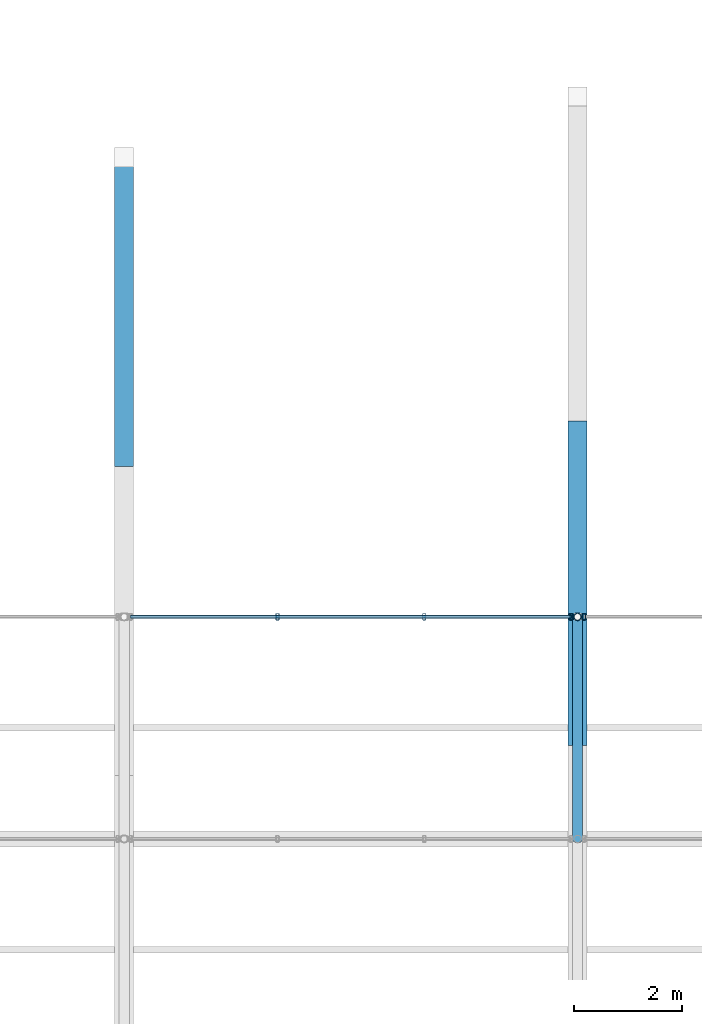
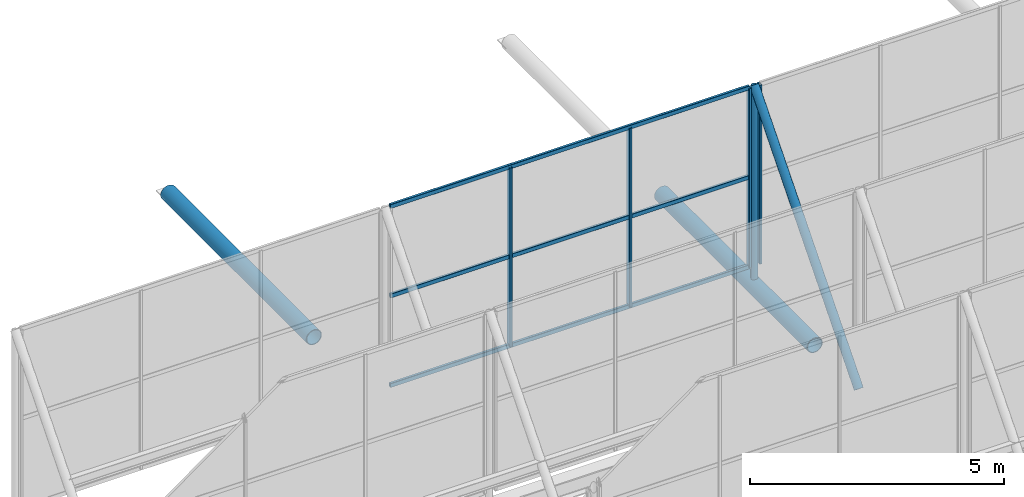
# One storey, part 37 of 77: 11 members, 2 elements without a shape of their own.
"""IFC4 building model written with IfcOpenShell, lengths in metres."""

import ifcopenshell
import ifcopenshell.guid

model = None  # the IFC model being written
_history = None  # IfcOwnerHistory: only IFC2X3 demands one
_inside = {}  # id of a spatial element -> (the spatial element, [elements in it])
_under = {}  # id of a project, library or spatial element -> (it, [spatial elements below it])
_declared = {}  # id of a project -> (the project, [libraries it declares])
_typed = {}  # id of a type object -> (the type object, [elements of that type])
_made_of = {}  # id of a material, layer set ... -> (it, [elements and type objects made of it])


def new_model(schema):
    """Start an empty IFC model of exactly this schema.

    Asked for "IFC4X3", IfcOpenShell would pick the latest addendum, in which some entities
    have other attributes; the version numbers below select the first issue.
    IFC2X3 requires an IfcOwnerHistory on every rooted entity: one is made here for all.
    """
    global model, _history
    if schema == "IFC4X3":
        model = ifcopenshell.file(schema_version=(4, 3, 0, 0))
    else:
        model = ifcopenshell.file(schema=schema)
    _inside.clear()
    _under.clear()
    _declared.clear()
    _typed.clear()
    _made_of.clear()
    _history = None
    if model.schema == "IFC2X3":
        org = make("IfcOrganization", Name="unknown")
        user = make(
            "IfcPersonAndOrganization",
            ThePerson=make("IfcPerson", FamilyName="unknown"),
            TheOrganization=org,
        )
        app = make(
            "IfcApplication",
            ApplicationDeveloper=org,
            Version="unknown",
            ApplicationFullName="unknown",
            ApplicationIdentifier="unknown",
        )
        _history = make(
            "IfcOwnerHistory",
            OwningUser=user,
            OwningApplication=app,
            ChangeAction="ADDED",
            CreationDate=0,
        )
    return model


def make(cls, **values):
    """One entity of the class cls with the attributes given. An attribute that is None is left unset."""
    return model.create_entity(
        cls, **{name: value for name, value in values.items() if value is not None}
    )


def rooted(cls, **values):
    """An entity with a GlobalId (a new one), such as an element, a storey or a relation."""
    return make(cls, GlobalId=ifcopenshell.guid.new(), OwnerHistory=_history, **values)


def si_unit(unit_type, name, prefix=None):
    """IfcSIUnit, for example si_unit("LENGTHUNIT", "METRE", prefix="MILLI")."""
    return make("IfcSIUnit", UnitType=unit_type, Prefix=prefix, Name=name)


def derived_unit(unit_type, elements):
    """IfcDerivedUnit: a product of units, each with its exponent."""
    return make(
        "IfcDerivedUnit",
        Elements=[
            make("IfcDerivedUnitElement", Unit=unit, Exponent=power)
            for unit, power in elements
        ],
        UnitType=unit_type,
    )


def assignment(units):
    """IfcUnitAssignment: the units of a project."""
    return None if units is None else make("IfcUnitAssignment", Units=units)


def point(xyz):
    """IfcCartesianPoint."""
    return None if xyz is None else make("IfcCartesianPoint", Coordinates=xyz)


def direction(xyz):
    """IfcDirection."""
    return None if xyz is None else make("IfcDirection", DirectionRatios=xyz)


def frame(location, z_axis=None, x_axis=None):
    """IfcAxis2Placement3D, a coordinate frame: its origin and axes. An axis left out is left unset."""
    return make(
        "IfcAxis2Placement3D",
        Location=point(location),
        Axis=direction(z_axis),
        RefDirection=direction(x_axis),
    )


def frame_2d(location, x_axis=None):
    """IfcAxis2Placement2D, a coordinate frame in the plane: its origin and x axis."""
    return make(
        "IfcAxis2Placement2D", Location=point(location), RefDirection=direction(x_axis)
    )


def origin():
    """The frame at (0, 0, 0) with its axes left unset."""
    return frame((0.0, 0.0, 0.0))


def origin_2d():
    """The frame at (0, 0) in the plane with its x axis left unset."""
    return frame_2d((0.0, 0.0))


def place(relative_to, where):
    """IfcLocalPlacement: puts the frame where relative to a parent placement (None: the world)."""
    return make(
        "IfcLocalPlacement", PlacementRelTo=relative_to, RelativePlacement=where
    )


def context(
    kind, dimensions, precision=None, world=None, true_north=None, identifier=None
):
    """IfcGeometricRepresentationContext, for example the 3D "Model" context."""
    return make(
        "IfcGeometricRepresentationContext",
        ContextIdentifier=identifier,
        ContextType=kind,
        CoordinateSpaceDimension=dimensions,
        Precision=precision,
        WorldCoordinateSystem=world,
        TrueNorth=true_north,
    )


def subcontext(parent, identifier, kind, view, scale=None):
    """IfcGeometricRepresentationSubContext, for example "Body" below "Model"."""
    return make(
        "IfcGeometricRepresentationSubContext",
        ContextIdentifier=identifier,
        ContextType=kind,
        ParentContext=parent,
        TargetScale=scale,
        TargetView=view,
    )


def project(units=None, contexts=None):
    """IfcProject with its units and contexts."""
    return rooted(
        "IfcProject",
        Name="project",
        RepresentationContexts=contexts,
        UnitsInContext=assignment(units),
    )


def spatial(cls, under=None, at=None, **own):
    """A site, building, storey or space (cls), placed at a placement, below another one or the project."""
    s = rooted(cls, ObjectPlacement=at, **own)
    if under is not None:
        _under.setdefault(under.id(), (under, []))[1].append(s)
    return s


def profile(cls, at=None, kind="AREA", **sizes):
    """A parametric profile (cls). Its sizes go by their IFC names, for example OverallWidth=200.0."""
    return make(cls, ProfileType=kind, Position=at, **sizes)


def hollow_rectangle(**sizes):
    """IfcRectangleHollowProfileDef."""
    return profile("IfcRectangleHollowProfileDef", **sizes)


def hollow_circle(**sizes):
    """IfcCircleHollowProfileDef."""
    return profile("IfcCircleHollowProfileDef", **sizes)


def extrude(swept, where, along, depth):
    """IfcExtrudedAreaSolid: the profile swept, set in the frame where, extruded along a direction by depth."""
    return make(
        "IfcExtrudedAreaSolid",
        SweptArea=swept,
        Position=where,
        ExtrudedDirection=direction(along),
        Depth=depth,
    )


def shape(context_of_items, identifier, shape_type, items):
    """IfcShapeRepresentation: the items that make up one representation, for example the "Body"."""
    return make(
        "IfcShapeRepresentation",
        ContextOfItems=context_of_items,
        RepresentationIdentifier=identifier,
        RepresentationType=shape_type,
        Items=items,
    )


def material(Name=None, Category=None):
    """IfcMaterial."""
    return make("IfcMaterial", Name=Name, Category=Category)


def material_profile(
    of_material, cross_section, Name=None, Category=None, Priority=None
):
    """IfcMaterialProfile: a cross section and its material."""
    return make(
        "IfcMaterialProfile",
        Name=Name,
        Material=of_material,
        Profile=cross_section,
        Priority=Priority,
        Category=Category,
    )


def profile_set(profiles, Name=None, composite=None):
    """IfcMaterialProfileSet."""
    return make(
        "IfcMaterialProfileSet",
        Name=Name,
        MaterialProfiles=profiles,
        CompositeProfile=composite,
    )


def made_of(thing, what):
    """Note that an element or type object is made of a material, layer set ...; save() writes the relation."""
    if what is not None:
        _made_of.setdefault(what.id(), (what, []))[1].append(thing)
    return thing


def type_object(cls, material=None, **own):
    """A type object (cls), such as IfcWallType, which elements share."""
    return made_of(rooted(cls, **own), material)


def element(
    cls,
    number,
    at=None,
    inside=None,
    cuts=None,
    type_object=None,
    material=None,
    context=None,
    identifier="Body",
    shape_type=None,
    held_by="IfcProductDefinitionShape",
    body=None,
    shapes=None,
    **own,
):
    """One element of the class cls, such as IfcWall. Its Tag is "e" and its number.

    at: its placement. inside: the storey or other place that contains it. cuts: it is an
    opening in that element (IfcRelVoidsElement). A single representation is given by context,
    identifier, shape_type and body (its items); several are given by shapes. held_by: the class
    of the entity that holds the representations. save() writes the other relations.
    """
    e = rooted(cls, Tag="e%d" % number, ObjectPlacement=at, **own)
    if body is not None:
        shapes = [shape(context, identifier, shape_type, body)]
    if shapes is not None:
        e.Representation = make(held_by, Representations=shapes)
    if inside is not None:
        _inside.setdefault(inside.id(), (inside, []))[1].append(e)
    if cuts is not None:
        rooted(
            "IfcRelVoidsElement", RelatingBuildingElement=cuts, RelatedOpeningElement=e
        )
    if type_object is not None:
        _typed.setdefault(type_object.id(), (type_object, []))[1].append(e)
    return made_of(e, material)


def aggregate(whole, parts):
    """IfcRelAggregates: a whole, such as a stair, and the parts it consists of."""
    return rooted("IfcRelAggregates", RelatingObject=whole, RelatedObjects=parts)


def save(model, path):
    """Write the relations noted so far, then the file.

    IfcRelAggregates (storeys below a building ...), IfcRelContainedInSpatialStructure (elements
    in a storey), IfcRelDefinesByType, IfcRelAssociatesMaterial and IfcRelDeclares: one each for
    every whole, place, type object, material and project.
    """
    for whole, parts in _under.values():
        aggregate(whole, parts)
    for where, things in _inside.values():
        rooted(
            "IfcRelContainedInSpatialStructure",
            RelatedElements=things,
            RelatingStructure=where,
        )
    for kind, things in _typed.values():
        rooted("IfcRelDefinesByType", RelatedObjects=things, RelatingType=kind)
    for what, things in _made_of.values():
        rooted("IfcRelAssociatesMaterial", RelatedObjects=things, RelatingMaterial=what)
    for by, libraries in _declared.values():
        rooted("IfcRelDeclares", RelatingContext=by, RelatedDefinitions=libraries)
    model.write(path)


model = new_model("IFC4")

# Units and contexts
model_context = context("Model", 3, precision=1e-05, world=origin(), true_north=direction((0.0, 1.0)))
body_context = subcontext(model_context, "Body", "Model", "MODEL_VIEW")
ifc_project = project(units=[si_unit("LENGTHUNIT", "METRE"), si_unit("AREAUNIT", "SQUARE_METRE"), si_unit("VOLUMEUNIT", "CUBIC_METRE"), si_unit("PLANEANGLEUNIT", "RADIAN"), si_unit("MASSUNIT", "GRAM", prefix="KILO"), derived_unit("THERMALTRANSMITTANCEUNIT", [(si_unit("MASSUNIT", "GRAM", prefix="KILO"), 1), (si_unit("TIMEUNIT", "SECOND"), -3), (si_unit("THERMODYNAMICTEMPERATUREUNIT", "KELVIN"), -1)])], contexts=[model_context])

# Site, building, storey
site_placement = place(None, origin())
site = spatial("IfcSite", under=ifc_project, at=site_placement, CompositionType="ELEMENT")
building_placement = place(site_placement, origin())
building = spatial("IfcBuilding", under=site, at=building_placement, Name="Kharveza Railside Sports Centre", CompositionType="ELEMENT")
storey_placement = place(building_placement, frame((0.0, 0.0, 17.10009765625)))
storey = spatial("IfcBuildingStorey", under=building, at=storey_placement, Name="L04", CompositionType="ELEMENT", Elevation=17.10009765625)

# Curtain wall, members
ifc_material_1 = material(Name="Low-E solar-control laminated glass", Category="glass")
curtain_wall_type = type_object("IfcCurtainWallType", Name="CW-NL01", PredefinedType="NOTDEFINED", material=ifc_material_1)
curtain_wall_1_placement = place(storey_placement, origin())
curtain_wall_1 = element("IfcCurtainWall", 1, at=curtain_wall_1_placement, inside=storey, type_object=curtain_wall_type, Name="CW-V1NL-7-2", PredefinedType="NOTDEFINED")
ifc_material_2 = material(Name="Anodised aluminium 6063-T6", Category="aluminium")
ifc_material_profile_1 = material_profile(ifc_material_2, hollow_rectangle(XDim=0.06005859375, YDim=0.1201171875, WallThickness=0.0048828125, InnerFilletRadius=0.0048828125, OuterFilletRadius=0.010009765625, at=origin_2d()), Name="RHS 60x120x5.0")
ifc_profile_set_1 = profile_set([ifc_material_profile_1], Name="Anodised aluminium 6063-T6")
member_type_1 = type_object("IfcMemberType", Name="CW-ML05", PredefinedType="MULLION", material=ifc_profile_set_1)
member_1_placement = place(storey_placement, frame((44.840087890625, 64.800048828125, -0.550048828125), z_axis=(0.0, 0.0, 1.0), x_axis=(1.0, 0.0, 0.0)))
member_1 = element("IfcMember", 2, at=member_1_placement, type_object=member_type_1, Name="CW-V1NL-7-2-ML2", PredefinedType="MULLION", context=body_context, shape_type="SweptSolid", body=[
    extrude(hollow_rectangle(XDim=0.06005859375, YDim=0.1201171875, WallThickness=0.0048828125, InnerFilletRadius=0.0048828125, OuterFilletRadius=0.010009765625, at=origin_2d()), origin(), (0.0, 0.0, 1.0), 4.300048828125),
])
member_2_placement = place(storey_placement, frame((47.56005859375, 64.800048828125, -0.550048828125), z_axis=(0.0, 0.0, 1.0), x_axis=(1.0, 0.0, 0.0)))
member_2 = element("IfcMember", 3, at=member_2_placement, type_object=member_type_1, Name="CW-V1NL-7-2-ML3", PredefinedType="MULLION", context=body_context, shape_type="SweptSolid", body=[
    extrude(hollow_rectangle(XDim=0.06005859375, YDim=0.1201171875, WallThickness=0.0048828125, InnerFilletRadius=0.0048828125, OuterFilletRadius=0.010009765625, at=origin_2d()), origin(), (0.0, 0.0, 1.0), 4.300048828125),
])
member_3_placement = place(storey_placement, frame((50.280029296875, 64.800048828125, -0.550048828125), z_axis=(0.0, 0.0, 1.0), x_axis=(1.0, 0.0, 0.0)))
member_3 = element("IfcMember", 4, at=member_3_placement, type_object=member_type_1, Name="CW-V1NL-7-2-ML4", PredefinedType="MULLION", context=body_context, shape_type="SweptSolid", body=[
    extrude(hollow_rectangle(XDim=0.06005859375, YDim=0.1201171875, WallThickness=0.0048828125, InnerFilletRadius=0.0048828125, OuterFilletRadius=0.010009765625, at=origin_2d()), origin(), (0.0, 0.0, 1.0), 4.300048828125),
])

# Curtain wall, member
curtain_wall_2_placement = place(storey_placement, origin())
curtain_wall_2 = element("IfcCurtainWall", 5, at=curtain_wall_2_placement, inside=storey, type_object=curtain_wall_type, Name="CW-V1NL-7-3", PredefinedType="NOTDEFINED")
member_4_placement = place(storey_placement, frame((50.52001953125, 64.800048828125, -0.550048828125), z_axis=(0.0, 0.0, 1.0), x_axis=(1.0, 0.0, 0.0)))
member_4 = element("IfcMember", 6, at=member_4_placement, type_object=member_type_1, Name="CW-V1NL-7-3-ML1", PredefinedType="MULLION", context=body_context, shape_type="SweptSolid", body=[
    extrude(hollow_rectangle(XDim=0.06005859375, YDim=0.1201171875, WallThickness=0.0048828125, InnerFilletRadius=0.0048828125, OuterFilletRadius=0.010009765625, at=origin_2d()), origin(), (0.0, 0.0, 1.0), 4.300048828125),
])
aggregate(curtain_wall_2, [member_4])

# Member
ifc_material_profile_2 = material_profile(ifc_material_2, hollow_rectangle(XDim=0.06005859375, YDim=0.10009765625, WallThickness=0.00390625, InnerFilletRadius=0.00390625, OuterFilletRadius=0.008056640625, at=origin_2d()), Name="RHS 60x100x4.0")
ifc_profile_set_2 = profile_set([ifc_material_profile_2], Name="Anodised aluminium 6063-T6")
member_type_2 = type_object("IfcMemberType", Name="CW-TR05", PredefinedType="USERDEFINED", material=ifc_profile_set_2)
member_5_placement = place(storey_placement, frame((42.1201171875, 64.800048828125, -0.550048828125), z_axis=(1.0, 0.0, 0.0), x_axis=(0.0, 1.0, 0.0)))
member_5 = element("IfcMember", 7, at=member_5_placement, type_object=member_type_2, Name="CW-V1NL-7-2-TR1", ObjectType="TRANSOM", PredefinedType="USERDEFINED", context=body_context, shape_type="SweptSolid", body=[
    extrude(hollow_rectangle(XDim=0.06005859375, YDim=0.10009765625, WallThickness=0.00390625, InnerFilletRadius=0.00390625, OuterFilletRadius=0.008056640625, at=origin_2d()), origin(), (0.0, 0.0, 1.0), 8.159912109375),
])

member_6_placement = place(storey_placement, frame((42.1201171875, 64.800048828125, 1.599853515625), z_axis=(1.0, 0.0, 0.0), x_axis=(0.0, 1.0, 0.0)))
member_6 = element("IfcMember", 8, at=member_6_placement, type_object=member_type_2, Name="CW-V1NL-7-2-TR2", ObjectType="TRANSOM", PredefinedType="USERDEFINED", context=body_context, shape_type="SweptSolid", body=[
    extrude(hollow_rectangle(XDim=0.06005859375, YDim=0.10009765625, WallThickness=0.00390625, InnerFilletRadius=0.00390625, OuterFilletRadius=0.008056640625, at=origin_2d()), origin(), (0.0, 0.0, 1.0), 8.159912109375),
])

member_7_placement = place(storey_placement, frame((42.1201171875, 64.800048828125, 3.75), z_axis=(1.0, 0.0, 0.0), x_axis=(0.0, 1.0, 0.0)))
member_7 = element("IfcMember", 9, at=member_7_placement, type_object=member_type_2, Name="CW-V1NL-7-2-TR3", ObjectType="TRANSOM", PredefinedType="USERDEFINED", context=body_context, shape_type="SweptSolid", body=[
    extrude(hollow_rectangle(XDim=0.06005859375, YDim=0.10009765625, WallThickness=0.00390625, InnerFilletRadius=0.00390625, OuterFilletRadius=0.008056640625, at=origin_2d()), origin(), (0.0, 0.0, 1.0), 8.159912109375),
])

aggregate(curtain_wall_1, [member_1, member_2, member_3, member_5, member_6, member_7])

# Members
ifc_material_3 = material(Name="Steel S355J2", Category="steel")
ifc_material_profile_3 = material_profile(ifc_material_3, hollow_circle(Radius=0.177734375, WallThickness=0.01611328125, at=origin_2d()), Name="CHS 355.6x16.0")
ifc_profile_set_3 = profile_set([ifc_material_profile_3], Name="Steel S355J2")
member_type_3 = type_object("IfcMemberType", Name="MB-CH01", PredefinedType="CHORD", material=ifc_profile_set_3)
member_8_placement = place(storey_placement, frame((42.0, 67.58642578125, -1.050048828125), z_axis=(0.0, 1.0, 0.0), x_axis=(-1.0, 0.0, 0.0)))
element("IfcMember", 10, at=member_8_placement, inside=storey, type_object=member_type_3, Name="MB-V1TR-TC-2-8", PredefinedType="CHORD", context=body_context, shape_type="SweptSolid", body=[
    extrude(hollow_circle(Radius=0.177734375, WallThickness=0.01611328125, at=origin_2d()), origin(), (0.0, 0.0, 1.0), 5.72900390625),
])
member_9_placement = place(storey_placement, frame((50.39990234375, 62.419189453125, -1.050048828125), z_axis=(0.0, 1.0, 0.0), x_axis=(-1.0, 0.0, 0.0)))
element("IfcMember", 11, at=member_9_placement, inside=storey, type_object=member_type_3, Name="MB-V1TR-TC-3-7", PredefinedType="CHORD", context=body_context, shape_type="SweptSolid", body=[
    extrude(hollow_circle(Radius=0.177734375, WallThickness=0.01611328125, at=origin_2d()), origin(), (0.0, 0.0, 1.0), 6.009765625),
])
ifc_material_profile_4 = material_profile(ifc_material_3, hollow_circle(Radius=0.096923828125, WallThickness=0.010009765625, at=origin_2d()), Name="CHS 193.7x10.0")
ifc_profile_set_4 = profile_set([ifc_material_profile_4], Name="Steel S355J2")
member_type_4 = type_object("IfcMemberType", Name="MB-ST02", PredefinedType="STRUT", material=ifc_profile_set_4)
member_10_placement = place(storey_placement, frame((50.39990234375, 60.685791015625, -1.050048828125), z_axis=(0.0, 0.650003261435, 0.759931418039), x_axis=(-1.0, 0.0, 0.0)))
element("IfcMember", 12, at=member_10_placement, inside=storey, type_object=member_type_4, Name="MB-V1SAW-RFT-7-3", PredefinedType="STRUT", context=body_context, shape_type="SweptSolid", body=[
    extrude(hollow_circle(Radius=0.096923828125, WallThickness=0.010009765625, at=origin_2d()), origin(), (0.0, 0.0, 1.0), 6.32958984375),
])
ifc_material_profile_5 = material_profile(ifc_material_3, hollow_circle(Radius=0.06982421875, WallThickness=0.008056640625, at=origin_2d()), Name="CHS 139.7x8.0")
ifc_profile_set_5 = profile_set([ifc_material_profile_5], Name="Steel S355J2")
member_type_5 = type_object("IfcMemberType", Name="MB-ST04", PredefinedType="STRUT", material=ifc_profile_set_5)
member_11_placement = place(storey_placement, frame((50.39990234375, 64.800048828125, -1.050048828125), z_axis=(0.0, 0.0, 1.0), x_axis=(1.0, 0.0, 0.0)))
element("IfcMember", 13, at=member_11_placement, inside=storey, type_object=member_type_5, Name="MB-V1SAW-PST-7-3", PredefinedType="STRUT", context=body_context, shape_type="SweptSolid", body=[
    extrude(hollow_circle(Radius=0.06982421875, WallThickness=0.008056640625, at=origin_2d()), origin(), (0.0, 0.0, 1.0), 4.81005859375),
])

save(model, "model.ifc")
